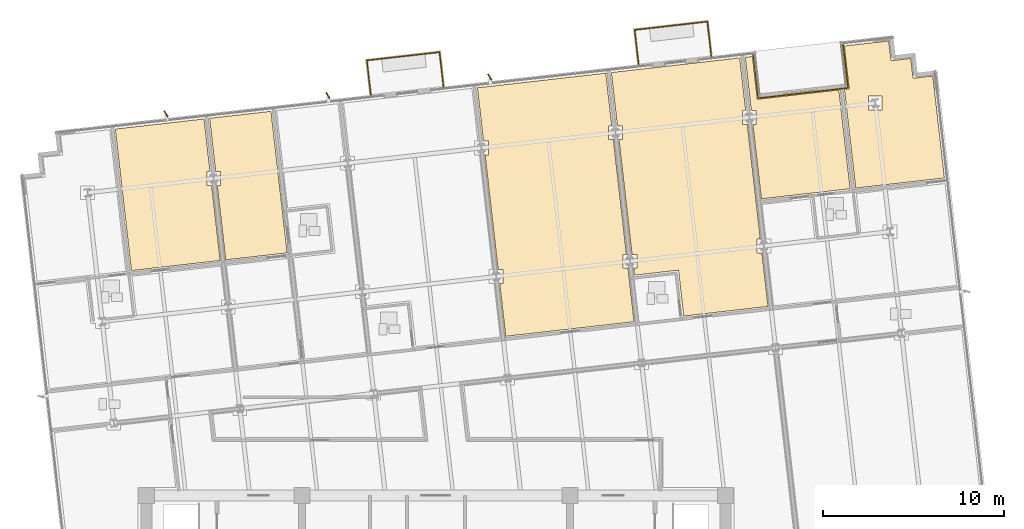
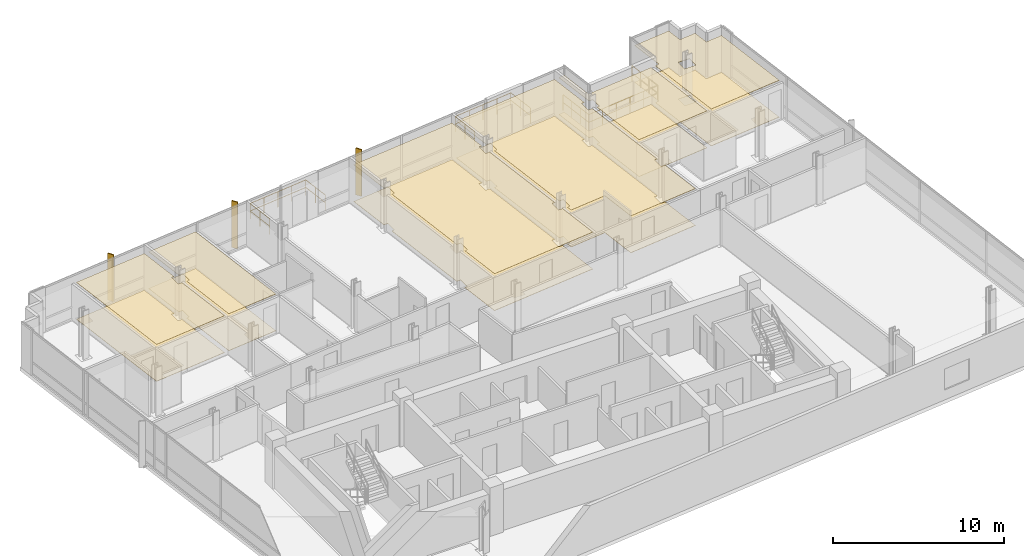
# One storey, part 15 of 16: 12 coverings, 9 railings, 3 shading devices.
"""IFC4 building model written with IfcOpenShell, lengths in metres."""

import ifcopenshell
import ifcopenshell.guid

model = None  # the IFC model being written
_history = None  # IfcOwnerHistory: only IFC2X3 demands one
_inside = {}  # id of a spatial element -> (the spatial element, [elements in it])
_under = {}  # id of a project, library or spatial element -> (it, [spatial elements below it])
_declared = {}  # id of a project -> (the project, [libraries it declares])
_typed = {}  # id of a type object -> (the type object, [elements of that type])
_made_of = {}  # id of a material, layer set ... -> (it, [elements and type objects made of it])


def new_model(schema):
    """Start an empty IFC model of exactly this schema.

    Asked for "IFC4X3", IfcOpenShell would pick the latest addendum, in which some entities
    have other attributes; the version numbers below select the first issue.
    IFC2X3 requires an IfcOwnerHistory on every rooted entity: one is made here for all.
    """
    global model, _history
    if schema == "IFC4X3":
        model = ifcopenshell.file(schema_version=(4, 3, 0, 0))
    else:
        model = ifcopenshell.file(schema=schema)
    _inside.clear()
    _under.clear()
    _declared.clear()
    _typed.clear()
    _made_of.clear()
    _history = None
    if model.schema == "IFC2X3":
        org = make("IfcOrganization", Name="unknown")
        user = make(
            "IfcPersonAndOrganization",
            ThePerson=make("IfcPerson", FamilyName="unknown"),
            TheOrganization=org,
        )
        app = make(
            "IfcApplication",
            ApplicationDeveloper=org,
            Version="unknown",
            ApplicationFullName="unknown",
            ApplicationIdentifier="unknown",
        )
        _history = make(
            "IfcOwnerHistory",
            OwningUser=user,
            OwningApplication=app,
            ChangeAction="ADDED",
            CreationDate=0,
        )
    return model


def make(cls, **values):
    """One entity of the class cls with the attributes given. An attribute that is None is left unset."""
    return model.create_entity(
        cls, **{name: value for name, value in values.items() if value is not None}
    )


def rooted(cls, **values):
    """An entity with a GlobalId (a new one), such as an element, a storey or a relation."""
    return make(cls, GlobalId=ifcopenshell.guid.new(), OwnerHistory=_history, **values)


def si_unit(unit_type, name, prefix=None):
    """IfcSIUnit, for example si_unit("LENGTHUNIT", "METRE", prefix="MILLI")."""
    return make("IfcSIUnit", UnitType=unit_type, Prefix=prefix, Name=name)


def assignment(units):
    """IfcUnitAssignment: the units of a project."""
    return None if units is None else make("IfcUnitAssignment", Units=units)


def point(xyz):
    """IfcCartesianPoint."""
    return None if xyz is None else make("IfcCartesianPoint", Coordinates=xyz)


def direction(xyz):
    """IfcDirection."""
    return None if xyz is None else make("IfcDirection", DirectionRatios=xyz)


def frame(location, z_axis=None, x_axis=None):
    """IfcAxis2Placement3D, a coordinate frame: its origin and axes. An axis left out is left unset."""
    return make(
        "IfcAxis2Placement3D",
        Location=point(location),
        Axis=direction(z_axis),
        RefDirection=direction(x_axis),
    )


def frame_2d(location, x_axis=None):
    """IfcAxis2Placement2D, a coordinate frame in the plane: its origin and x axis."""
    return make(
        "IfcAxis2Placement2D", Location=point(location), RefDirection=direction(x_axis)
    )


def origin():
    """The frame at (0, 0, 0) with its axes left unset."""
    return frame((0.0, 0.0, 0.0))


def origin_2d():
    """The frame at (0, 0) in the plane with its x axis left unset."""
    return frame_2d((0.0, 0.0))


def place(relative_to, where):
    """IfcLocalPlacement: puts the frame where relative to a parent placement (None: the world)."""
    return make(
        "IfcLocalPlacement", PlacementRelTo=relative_to, RelativePlacement=where
    )


def context(
    kind, dimensions, precision=None, world=None, true_north=None, identifier=None
):
    """IfcGeometricRepresentationContext, for example the 3D "Model" context."""
    return make(
        "IfcGeometricRepresentationContext",
        ContextIdentifier=identifier,
        ContextType=kind,
        CoordinateSpaceDimension=dimensions,
        Precision=precision,
        WorldCoordinateSystem=world,
        TrueNorth=true_north,
    )


def subcontext(parent, identifier, kind, view, scale=None):
    """IfcGeometricRepresentationSubContext, for example "Body" below "Model"."""
    return make(
        "IfcGeometricRepresentationSubContext",
        ContextIdentifier=identifier,
        ContextType=kind,
        ParentContext=parent,
        TargetScale=scale,
        TargetView=view,
    )


def project(units=None, contexts=None):
    """IfcProject with its units and contexts."""
    return rooted(
        "IfcProject",
        Name="project",
        RepresentationContexts=contexts,
        UnitsInContext=assignment(units),
    )


def spatial(cls, under=None, at=None, **own):
    """A site, building, storey or space (cls), placed at a placement, below another one or the project."""
    s = rooted(cls, ObjectPlacement=at, **own)
    if under is not None:
        _under.setdefault(under.id(), (under, []))[1].append(s)
    return s


def polyline(points):
    """IfcPolyline through the points."""
    return make("IfcPolyline", Points=[point(p) for p in points])


def profile(cls, at=None, kind="AREA", **sizes):
    """A parametric profile (cls). Its sizes go by their IFC names, for example OverallWidth=200.0."""
    return make(cls, ProfileType=kind, Position=at, **sizes)


def rectangle(**sizes):
    """IfcRectangleProfileDef."""
    return profile("IfcRectangleProfileDef", **sizes)


def circle(**sizes):
    """IfcCircleProfileDef."""
    return profile("IfcCircleProfileDef", **sizes)


def outline(outer, holes=None, kind="AREA"):
    """IfcArbitraryClosedProfileDef: a profile drawn as a closed curve; with holes, ...WithVoids."""
    if holes is None:
        return make("IfcArbitraryClosedProfileDef", ProfileType=kind, OuterCurve=outer)
    return make(
        "IfcArbitraryProfileDefWithVoids",
        ProfileType=kind,
        OuterCurve=outer,
        InnerCurves=holes,
    )


def extrude(swept, where, along, depth):
    """IfcExtrudedAreaSolid: the profile swept, set in the frame where, extruded along a direction by depth."""
    return make(
        "IfcExtrudedAreaSolid",
        SweptArea=swept,
        Position=where,
        ExtrudedDirection=direction(along),
        Depth=depth,
    )


def shape(context_of_items, identifier, shape_type, items):
    """IfcShapeRepresentation: the items that make up one representation, for example the "Body"."""
    return make(
        "IfcShapeRepresentation",
        ContextOfItems=context_of_items,
        RepresentationIdentifier=identifier,
        RepresentationType=shape_type,
        Items=items,
    )


def material(Name=None, Category=None):
    """IfcMaterial."""
    return make("IfcMaterial", Name=Name, Category=Category)


def layer(
    of_material, thickness, ventilated=None, Name=None, Category=None, Priority=None
):
    """IfcMaterialLayer: one layer of a wall or slab, of a material (None: an air gap)."""
    return make(
        "IfcMaterialLayer",
        Material=of_material,
        LayerThickness=thickness,
        IsVentilated=ventilated,
        Name=Name,
        Category=Category,
        Priority=Priority,
    )


def layer_set(layers, Name=None):
    """IfcMaterialLayerSet."""
    return make("IfcMaterialLayerSet", MaterialLayers=layers, LayerSetName=Name)


def made_of(thing, what):
    """Note that an element or type object is made of a material, layer set ...; save() writes the relation."""
    if what is not None:
        _made_of.setdefault(what.id(), (what, []))[1].append(thing)
    return thing


def type_object(cls, material=None, **own):
    """A type object (cls), such as IfcWallType, which elements share."""
    return made_of(rooted(cls, **own), material)


def element(
    cls,
    number,
    at=None,
    inside=None,
    cuts=None,
    type_object=None,
    material=None,
    context=None,
    identifier="Body",
    shape_type=None,
    held_by="IfcProductDefinitionShape",
    body=None,
    shapes=None,
    **own,
):
    """One element of the class cls, such as IfcWall. Its Tag is "e" and its number.

    at: its placement. inside: the storey or other place that contains it. cuts: it is an
    opening in that element (IfcRelVoidsElement). A single representation is given by context,
    identifier, shape_type and body (its items); several are given by shapes. held_by: the class
    of the entity that holds the representations. save() writes the other relations.
    """
    e = rooted(cls, Tag="e%d" % number, ObjectPlacement=at, **own)
    if body is not None:
        shapes = [shape(context, identifier, shape_type, body)]
    if shapes is not None:
        e.Representation = make(held_by, Representations=shapes)
    if inside is not None:
        _inside.setdefault(inside.id(), (inside, []))[1].append(e)
    if cuts is not None:
        rooted(
            "IfcRelVoidsElement", RelatingBuildingElement=cuts, RelatedOpeningElement=e
        )
    if type_object is not None:
        _typed.setdefault(type_object.id(), (type_object, []))[1].append(e)
    return made_of(e, material)


def aggregate(whole, parts):
    """IfcRelAggregates: a whole, such as a stair, and the parts it consists of."""
    return rooted("IfcRelAggregates", RelatingObject=whole, RelatedObjects=parts)


def save(model, path):
    """Write the relations noted so far, then the file.

    IfcRelAggregates (storeys below a building ...), IfcRelContainedInSpatialStructure (elements
    in a storey), IfcRelDefinesByType, IfcRelAssociatesMaterial and IfcRelDeclares: one each for
    every whole, place, type object, material and project.
    """
    for whole, parts in _under.values():
        aggregate(whole, parts)
    for where, things in _inside.values():
        rooted(
            "IfcRelContainedInSpatialStructure",
            RelatedElements=things,
            RelatingStructure=where,
        )
    for kind, things in _typed.values():
        rooted("IfcRelDefinesByType", RelatedObjects=things, RelatingType=kind)
    for what, things in _made_of.values():
        rooted("IfcRelAssociatesMaterial", RelatedObjects=things, RelatingMaterial=what)
    for by, libraries in _declared.values():
        rooted("IfcRelDeclares", RelatingContext=by, RelatedDefinitions=libraries)
    model.write(path)


model = new_model("IFC4")

# Units and contexts
model_context = context("Model", 3, precision=1e-05, world=origin(), true_north=direction((0.0, 1.0)))
body_context = subcontext(model_context, "Body", "Model", "MODEL_VIEW")
ifc_project = project(units=[si_unit("LENGTHUNIT", "METRE"), si_unit("AREAUNIT", "SQUARE_METRE"), si_unit("VOLUMEUNIT", "CUBIC_METRE"), si_unit("PLANEANGLEUNIT", "RADIAN"), si_unit("MASSUNIT", "GRAM", prefix="KILO")], contexts=[model_context])

# Site, building, storey
site_placement = place(None, origin())
site = spatial("IfcSite", under=ifc_project, at=site_placement, CompositionType="ELEMENT")
building_placement = place(site_placement, origin())
building = spatial("IfcBuilding", under=site, at=building_placement, Name="Solmavex Isthmus Hotel", CompositionType="ELEMENT")
storey_placement = place(building_placement, frame((0.0, 0.0, 222.75)))
storey = spatial("IfcBuildingStorey", under=building, at=storey_placement, Name="L60", CompositionType="ELEMENT", Elevation=222.75)

# Coverings
ifc_material_1 = material(Name="Gypsum plasterboard lining", Category="gypsum")
ifc_layer_1 = layer(ifc_material_1, 0.030029296875)
ifc_layer_set_1 = layer_set([ifc_layer_1], Name="Gypsum plasterboard lining")
covering_type_1 = type_object("IfcCoveringType", Name="COV-CEIL-GYP", PredefinedType="CEILING", material=ifc_layer_set_1)
covering_1_placement = place(storey_placement, frame((0.0, 0.0, 2.6201171875)))
element("IfcCovering", 1, at=covering_1_placement, inside=storey, type_object=covering_type_1, Name="Suspended Acoustic Ceiling L60-TL01", PredefinedType="CEILING", context=body_context, shape_type="SweptSolid", body=[
    extrude(outline(polyline([(-12.395751953125, 14.638427734375), (-12.6630859375, 14.638427734375), (-12.6630859375, 15.3984375), (-12.482421875, 15.3984375), (-12.8134765625, 18.304443359375), (-17.715576171875, 17.745849609375), (-16.824462890625, 9.924560546875), (-11.92236328125, 10.483154296875), (-12.395751953125, 14.638427734375)])), origin(), (0.0, 0.0, 1.0), 0.02978515625),
])
covering_2_placement = place(storey_placement, frame((0.0, 0.0, 2.6201171875)))
element("IfcCovering", 2, at=covering_2_placement, inside=storey, type_object=covering_type_1, Name="Suspended Acoustic Ceiling L60-SL02-BD", PredefinedType="CEILING", context=body_context, shape_type="SweptSolid", body=[
    extrude(outline(polyline([(-12.17041015625, 15.3984375), (-11.903076171875, 15.3984375), (-11.903076171875, 14.638427734375), (-12.083740234375, 14.638427734375), (-11.6142578125, 10.51806640625), (-8.22314453125, 10.904541015625), (-9.1142578125, 18.725830078125), (-12.50537109375, 18.339599609375), (-12.17041015625, 15.3984375)])), origin(), (0.0, 0.0, 1.0), 0.02978515625),
])
covering_3_placement = place(storey_placement, frame((0.0, 0.0, 2.6201171875)))
element("IfcCovering", 3, at=covering_3_placement, inside=storey, type_object=covering_type_1, Name="Suspended Acoustic Ceiling L60-RM04", PredefinedType="CEILING", context=body_context, shape_type="SweptSolid", body=[
    extrude(outline(polyline([(3.435546875, 9.978271484375), (3.702880859375, 9.978271484375), (3.702880859375, 9.21826171875), (3.522216796875, 9.21826171875), (3.855224609375, 6.294189453125), (10.945556640625, 7.10205078125), (10.6083984375, 10.06103515625), (10.341064453125, 10.06103515625), (10.341064453125, 10.821044921875), (10.521728515625, 10.821044921875), (9.798583984375, 17.167236328125), (9.531494140625, 17.167236328125), (9.531494140625, 17.92724609375), (9.712158203125, 17.92724609375), (9.381103515625, 20.833251953125), (2.290771484375, 20.025390625), (2.6259765625, 17.084228515625), (2.893310546875, 17.084228515625), (2.893310546875, 16.32421875), (2.712646484375, 16.32421875), (3.435546875, 9.978271484375)])), origin(), (0.0, 0.0, 1.0), 0.02978515625),
])
covering_4_placement = place(storey_placement, frame((0.0, 0.0, 2.6201171875)))
element("IfcCovering", 4, at=covering_4_placement, inside=storey, type_object=covering_type_1, Name="Suspended Acoustic Ceiling L60-RM05", PredefinedType="CEILING", context=body_context, shape_type="SweptSolid", body=[
    extrude(outline(polyline([(10.833740234375, 10.821044921875), (11.10107421875, 10.821044921875), (11.10107421875, 10.06103515625), (10.92041015625, 10.06103515625), (10.96484375, 9.670654296875), (13.399169921875, 9.947998046875), (13.687744140625, 7.41455078125), (18.343505859375, 7.945068359375), (18.006591796875, 10.904052734375), (17.7392578125, 10.904052734375), (17.7392578125, 11.6640625), (17.919921875, 11.6640625), (17.19677734375, 18.010009765625), (16.929443359375, 18.010009765625), (16.929443359375, 18.77001953125), (17.1103515625, 18.77001953125), (16.779052734375, 21.676025390625), (9.68896484375, 20.868408203125), (10.024169921875, 17.92724609375), (10.29150390625, 17.92724609375), (10.29150390625, 17.167236328125), (10.110595703125, 17.167236328125), (10.833740234375, 10.821044921875)])), origin(), (0.0, 0.0, 1.0), 0.02978515625),
])
covering_5_placement = place(storey_placement, frame((0.0, 0.0, 2.6201171875)))
element("IfcCovering", 5, at=covering_5_placement, inside=storey, type_object=covering_type_1, Name="Suspended Acoustic Ceiling L60-TB06", PredefinedType="CEILING", context=body_context, shape_type="SweptSolid", body=[
    extrude(outline(polyline([(17.42236328125, 18.77001953125), (17.689453125, 18.77001953125), (17.689453125, 18.010009765625), (17.5087890625, 18.010009765625), (17.978271484375, 13.889892578125), (22.880615234375, 14.4482421875), (22.2587890625, 19.905029296875), (17.751953125, 19.3916015625), (17.482666015625, 21.75634765625), (17.087158203125, 21.711181640625), (17.42236328125, 18.77001953125)])), origin(), (0.0, 0.0, 1.0), 0.02978515625),
])
covering_6_placement = place(storey_placement, frame((0.0, 0.0, 2.6201171875)))
element("IfcCovering", 6, at=covering_6_placement, inside=storey, type_object=covering_type_1, Name="Suspended Acoustic Ceiling L60-TL06", PredefinedType="CEILING", context=body_context, shape_type="SweptSolid", body=[
    extrude(outline(polyline([(22.559814453125, 22.334716796875), (22.8291015625, 19.969970703125), (22.56689453125, 19.940185546875), (23.1884765625, 14.4833984375), (28.0908203125, 15.0419921875), (27.542236328125, 19.85791015625), (27.44873046875, 20.677490234375), (26.35595703125, 20.552978515625), (26.231201171875, 21.64599609375), (25.138427734375, 21.521484375), (25.013916015625, 22.6142578125), (24.194091796875, 22.52099609375), (22.559814453125, 22.334716796875)]), holes=[polyline([(23.892578125, 19.5634765625), (24.652587890625, 19.5634765625), (24.652587890625, 18.803466796875), (23.892578125, 18.803466796875), (23.892578125, 19.5634765625)])]), origin(), (0.0, 0.0, 1.0), 0.02978515625),
])
ifc_material_2 = material(Name="Travertine natural stone", Category="masonry")
ifc_layer_2 = layer(ifc_material_2, 0.02490234375)
ifc_layer_set_2 = layer_set([ifc_layer_2], Name="Travertine natural stone")
covering_type_2 = type_object("IfcCoveringType", Name="COV-FLOR-STN", PredefinedType="FLOORING", material=ifc_layer_set_2)
covering_7_placement = place(storey_placement, origin())
element("IfcCovering", 7, at=covering_7_placement, inside=storey, type_object=covering_type_2, Name="Stone and Timber Floor Finish L60-TL01", PredefinedType="FLOORING", context=body_context, shape_type="SweptSolid", body=[
    extrude(outline(polyline([(-12.395751953125, 14.638427734375), (-12.6630859375, 14.638427734375), (-12.6630859375, 15.3984375), (-12.482421875, 15.3984375), (-12.8134765625, 18.304443359375), (-17.715576171875, 17.745849609375), (-16.824462890625, 9.924560546875), (-11.92236328125, 10.483154296875), (-12.395751953125, 14.638427734375)])), origin(), (0.0, 0.0, 1.0), 0.02490234375),
])
covering_8_placement = place(storey_placement, origin())
element("IfcCovering", 8, at=covering_8_placement, inside=storey, type_object=covering_type_2, Name="Stone and Timber Floor Finish L60-SL02-BD", PredefinedType="FLOORING", context=body_context, shape_type="SweptSolid", body=[
    extrude(outline(polyline([(-12.17041015625, 15.3984375), (-11.903076171875, 15.3984375), (-11.903076171875, 14.638427734375), (-12.083740234375, 14.638427734375), (-11.6142578125, 10.51806640625), (-8.22314453125, 10.904541015625), (-9.1142578125, 18.725830078125), (-12.50537109375, 18.339599609375), (-12.17041015625, 15.3984375)])), origin(), (0.0, 0.0, 1.0), 0.02490234375),
])
covering_9_placement = place(storey_placement, origin())
element("IfcCovering", 9, at=covering_9_placement, inside=storey, type_object=covering_type_2, Name="Stone and Timber Floor Finish L60-RM04", PredefinedType="FLOORING", context=body_context, shape_type="SweptSolid", body=[
    extrude(outline(polyline([(3.435546875, 9.978271484375), (3.702880859375, 9.978271484375), (3.702880859375, 9.21826171875), (3.522216796875, 9.21826171875), (3.855224609375, 6.294189453125), (10.945556640625, 7.10205078125), (10.6083984375, 10.06103515625), (10.341064453125, 10.06103515625), (10.341064453125, 10.821044921875), (10.521728515625, 10.821044921875), (9.798583984375, 17.167236328125), (9.531494140625, 17.167236328125), (9.531494140625, 17.92724609375), (9.712158203125, 17.92724609375), (9.381103515625, 20.833251953125), (2.290771484375, 20.025390625), (2.6259765625, 17.084228515625), (2.893310546875, 17.084228515625), (2.893310546875, 16.32421875), (2.712646484375, 16.32421875), (3.435546875, 9.978271484375)])), origin(), (0.0, 0.0, 1.0), 0.02490234375),
])
covering_10_placement = place(storey_placement, origin())
element("IfcCovering", 10, at=covering_10_placement, inside=storey, type_object=covering_type_2, Name="Stone and Timber Floor Finish L60-RM05", PredefinedType="FLOORING", context=body_context, shape_type="SweptSolid", body=[
    extrude(outline(polyline([(10.833740234375, 10.821044921875), (11.10107421875, 10.821044921875), (11.10107421875, 10.06103515625), (10.92041015625, 10.06103515625), (10.96484375, 9.670654296875), (13.399169921875, 9.947998046875), (13.687744140625, 7.41455078125), (18.343505859375, 7.945068359375), (18.006591796875, 10.904052734375), (17.7392578125, 10.904052734375), (17.7392578125, 11.6640625), (17.919921875, 11.6640625), (17.19677734375, 18.010009765625), (16.929443359375, 18.010009765625), (16.929443359375, 18.77001953125), (17.1103515625, 18.77001953125), (16.779052734375, 21.676025390625), (9.68896484375, 20.868408203125), (10.024169921875, 17.92724609375), (10.29150390625, 17.92724609375), (10.29150390625, 17.167236328125), (10.110595703125, 17.167236328125), (10.833740234375, 10.821044921875)])), origin(), (0.0, 0.0, 1.0), 0.02490234375),
])
covering_11_placement = place(storey_placement, origin())
element("IfcCovering", 11, at=covering_11_placement, inside=storey, type_object=covering_type_2, Name="Stone and Timber Floor Finish L60-TB06", PredefinedType="FLOORING", context=body_context, shape_type="SweptSolid", body=[
    extrude(outline(polyline([(17.42236328125, 18.77001953125), (17.689453125, 18.77001953125), (17.689453125, 18.010009765625), (17.5087890625, 18.010009765625), (17.978271484375, 13.889892578125), (22.880615234375, 14.4482421875), (22.2587890625, 19.905029296875), (17.751953125, 19.3916015625), (17.482666015625, 21.75634765625), (17.087158203125, 21.711181640625), (17.42236328125, 18.77001953125)])), origin(), (0.0, 0.0, 1.0), 0.02490234375),
])
covering_12_placement = place(storey_placement, origin())
element("IfcCovering", 12, at=covering_12_placement, inside=storey, type_object=covering_type_2, Name="Stone and Timber Floor Finish L60-TL06", PredefinedType="FLOORING", context=body_context, shape_type="SweptSolid", body=[
    extrude(outline(polyline([(22.559814453125, 22.334716796875), (22.8291015625, 19.969970703125), (22.56689453125, 19.940185546875), (23.1884765625, 14.4833984375), (28.0908203125, 15.0419921875), (27.542236328125, 19.85791015625), (27.44873046875, 20.677490234375), (26.35595703125, 20.552978515625), (26.231201171875, 21.64599609375), (25.138427734375, 21.521484375), (25.013916015625, 22.6142578125), (24.194091796875, 22.52099609375), (22.559814453125, 22.334716796875)]), holes=[polyline([(23.892578125, 19.5634765625), (24.652587890625, 19.5634765625), (24.652587890625, 18.803466796875), (23.892578125, 18.803466796875), (23.892578125, 19.5634765625)])]), origin(), (0.0, 0.0, 1.0), 0.02490234375),
])

# Railings
ifc_material_3 = material(Name="Clear low-E laminated glass", Category="glass")
ifc_layer_3 = layer(ifc_material_3, 0.080078125)
ifc_layer_set_3 = layer_set([ifc_layer_3], Name="Clear low-E laminated glass")
railing_type_1 = type_object("IfcRailingType", Name="RAIL-ATRIUM-1120", PredefinedType="BALUSTRADE", material=ifc_layer_set_3)
railing_1_placement = place(storey_placement, frame((17.51513671875, 21.956298828125, 0.0)))
element("IfcRailing", 13, at=railing_1_placement, inside=storey, type_object=railing_type_1, Name="Guardrail Balustrade L60-SGV-01", PredefinedType="BALUSTRADE", context=body_context, shape_type="SweptSolid", body=[
    extrude(circle(Radius=0.02392578125, at=origin_2d()), frame((0.0, 0.0, 1.1259765625), z_axis=(0.113248774357, -0.993566663645, 0.0), x_axis=(0.993566663645, 0.113248774357, 0.0)), (0.0, 0.0, 1.0), 2.52001953125),
    extrude(circle(Radius=0.02392578125, at=origin_2d()), frame((0.0, 0.0, 0.574951171875), z_axis=(0.113248774357, -0.993566663645, 0.0), x_axis=(0.993566663645, 0.113248774357, 0.0)), (0.0, 0.0, 1.0), 2.52001953125),
    extrude(circle(Radius=0.02099609375, at=origin_2d()), origin(), (0.0, 0.0, 1.0), 1.101806640625),
    extrude(circle(Radius=0.02099609375, at=origin_2d()), frame((0.09521484375, -0.834716796875, 0.0)), (0.0, 0.0, 1.0), 1.101806640625),
    extrude(circle(Radius=0.02099609375, at=origin_2d()), frame((0.190185546875, -1.669189453125, 0.0)), (0.0, 0.0, 1.0), 1.101806640625),
    extrude(circle(Radius=0.02099609375, at=origin_2d()), frame((0.285400390625, -2.50390625, 0.0)), (0.0, 0.0, 1.0), 1.101806640625),
])
railing_2_placement = place(storey_placement, frame((17.800537109375, 19.452392578125, 0.0)))
element("IfcRailing", 14, at=railing_2_placement, inside=storey, type_object=railing_type_1, Name="Guardrail Balustrade L60-SGV-02", PredefinedType="BALUSTRADE", context=body_context, shape_type="SweptSolid", body=[
    extrude(circle(Radius=0.02392578125, at=origin_2d()), frame((0.0, 0.0, 1.1259765625), z_axis=(0.993568349945, 0.113233978943, 0.0), x_axis=(-0.113233978943, 0.993568349945, 0.0)), (0.0, 0.0, 1.0), 5.0),
    extrude(circle(Radius=0.02392578125, at=origin_2d()), frame((0.0, 0.0, 0.574951171875), z_axis=(0.993568349945, 0.113233978943, 0.0), x_axis=(-0.113233978943, 0.993568349945, 0.0)), (0.0, 0.0, 1.0), 5.0),
    extrude(circle(Radius=0.02099609375, at=origin_2d()), origin(), (0.0, 0.0, 1.0), 1.101806640625),
    extrude(circle(Radius=0.02099609375, at=origin_2d()), frame((0.99365234375, 0.11328125, 0.0)), (0.0, 0.0, 1.0), 1.101806640625),
    extrude(circle(Radius=0.02099609375, at=origin_2d()), frame((1.987060546875, 0.2265625, 0.0)), (0.0, 0.0, 1.0), 1.101806640625),
    extrude(circle(Radius=0.02099609375, at=origin_2d()), frame((2.980712890625, 0.339599609375, 0.0)), (0.0, 0.0, 1.0), 1.101806640625),
    extrude(circle(Radius=0.02099609375, at=origin_2d()), frame((3.97412109375, 0.452880859375, 0.0)), (0.0, 0.0, 1.0), 1.101806640625),
    extrude(circle(Radius=0.02099609375, at=origin_2d()), frame((4.9677734375, 0.566162109375, 0.0)), (0.0, 0.0, 1.0), 1.101806640625),
])
railing_3_placement = place(storey_placement, frame((22.768310546875, 20.0185546875, 0.0)))
element("IfcRailing", 15, at=railing_3_placement, inside=storey, type_object=railing_type_1, Name="Guardrail Balustrade L60-SGV-03", PredefinedType="BALUSTRADE", context=body_context, shape_type="SweptSolid", body=[
    extrude(circle(Radius=0.02392578125, at=origin_2d()), frame((0.0, 0.0, 1.1259765625), z_axis=(-0.113259675977, 0.993565420995, 0.0), x_axis=(-0.993565420995, -0.113259675977, 0.0)), (0.0, 0.0, 1.0), 2.519775390625),
    extrude(circle(Radius=0.02392578125, at=origin_2d()), frame((0.0, 0.0, 0.574951171875), z_axis=(-0.113259675977, 0.993565420995, 0.0), x_axis=(-0.993565420995, -0.113259675977, 0.0)), (0.0, 0.0, 1.0), 2.519775390625),
    extrude(circle(Radius=0.02099609375, at=origin_2d()), origin(), (0.0, 0.0, 1.0), 1.101806640625),
    extrude(circle(Radius=0.02099609375, at=origin_2d()), frame((-0.09521484375, 0.83447265625, 0.0)), (0.0, 0.0, 1.0), 1.101806640625),
    extrude(circle(Radius=0.02099609375, at=origin_2d()), frame((-0.190185546875, 1.669189453125, 0.0)), (0.0, 0.0, 1.0), 1.101806640625),
    extrude(circle(Radius=0.02099609375, at=origin_2d()), frame((-0.285400390625, 2.503662109375, 0.0)), (0.0, 0.0, 1.0), 1.101806640625),
])
ifc_layer_4 = layer(ifc_material_3, 0.070068359375)
ifc_layer_set_4 = layer_set([ifc_layer_4], Name="Clear low-E laminated glass")
railing_type_2 = type_object("IfcRailingType", Name="RAIL-GUARD-1100", PredefinedType="BALUSTRADE", material=ifc_layer_set_4)
railing_4_placement = place(storey_placement, frame((-3.600341796875, 19.630859375, 0.0)))
element("IfcRailing", 16, at=railing_4_placement, inside=storey, type_object=railing_type_2, Name="Guardrail Balustrade L60-BAL1-01", PredefinedType="BALUSTRADE", context=body_context, shape_type="SweptSolid", body=[
    extrude(circle(Radius=0.02392578125, at=origin_2d()), frame((0.0, 0.0, 1.09619140625), z_axis=(-0.113166454875, 0.993576043135, 0.0), x_axis=(-0.993576043135, -0.113166454875, 0.0)), (0.0, 0.0, 1.0), 1.920166015625),
    extrude(circle(Radius=0.02392578125, at=origin_2d()), frame((0.0, 0.0, 0.56005859375), z_axis=(-0.113166454875, 0.993576043135, 0.0), x_axis=(-0.993576043135, -0.113166454875, 0.0)), (0.0, 0.0, 1.0), 1.920166015625),
    extrude(circle(Radius=0.02099609375, at=origin_2d()), origin(), (0.0, 0.0, 1.0), 1.072021484375),
    extrude(circle(Radius=0.02099609375, at=origin_2d()), frame((-0.108642578125, 0.953857421875, 0.0)), (0.0, 0.0, 1.0), 1.072021484375),
    extrude(circle(Radius=0.02099609375, at=origin_2d()), frame((-0.21728515625, 1.90771484375, 0.0)), (0.0, 0.0, 1.0), 1.072021484375),
])
railing_5_placement = place(storey_placement, frame((-3.817626953125, 21.53857421875, 0.0)))
element("IfcRailing", 17, at=railing_5_placement, inside=storey, type_object=railing_type_2, Name="Guardrail Balustrade L60-BAL1-02", PredefinedType="BALUSTRADE", context=body_context, shape_type="SweptSolid", body=[
    extrude(circle(Radius=0.02392578125, at=origin_2d()), frame((0.0, 0.0, 1.09619140625), z_axis=(0.993573319275, 0.113190367192, 0.0), x_axis=(-0.113190367192, 0.993573319275, 0.0)), (0.0, 0.0, 1.0), 4.039794921875),
    extrude(circle(Radius=0.02392578125, at=origin_2d()), frame((0.0, 0.0, 0.56005859375), z_axis=(0.993573319275, 0.113190367192, 0.0), x_axis=(-0.113190367192, 0.993573319275, 0.0)), (0.0, 0.0, 1.0), 4.039794921875),
    extrude(circle(Radius=0.02099609375, at=origin_2d()), origin(), (0.0, 0.0, 1.0), 1.072021484375),
    extrude(circle(Radius=0.02099609375, at=origin_2d()), frame((1.00341796875, 0.1142578125, 0.0)), (0.0, 0.0, 1.0), 1.072021484375),
    extrude(circle(Radius=0.02099609375, at=origin_2d()), frame((2.0068359375, 0.228515625, 0.0)), (0.0, 0.0, 1.0), 1.072021484375),
    extrude(circle(Radius=0.02099609375, at=origin_2d()), frame((3.010498046875, 0.343017578125, 0.0)), (0.0, 0.0, 1.0), 1.072021484375),
    extrude(circle(Radius=0.02099609375, at=origin_2d()), frame((4.013916015625, 0.457275390625, 0.0)), (0.0, 0.0, 1.0), 1.072021484375),
])
railing_6_placement = place(storey_placement, frame((0.1962890625, 21.995849609375, 0.0)))
element("IfcRailing", 18, at=railing_6_placement, inside=storey, type_object=railing_type_2, Name="Guardrail Balustrade L60-BAL1-03", PredefinedType="BALUSTRADE", context=body_context, shape_type="SweptSolid", body=[
    extrude(circle(Radius=0.02392578125, at=origin_2d()), frame((0.0, 0.0, 1.09619140625), z_axis=(0.113180753722, -0.993574414418, 0.0), x_axis=(0.993574414418, 0.113180753722, 0.0)), (0.0, 0.0, 1.0), 1.919921875),
    extrude(circle(Radius=0.02392578125, at=origin_2d()), frame((0.0, 0.0, 0.56005859375), z_axis=(0.113180753722, -0.993574414418, 0.0), x_axis=(0.993574414418, 0.113180753722, 0.0)), (0.0, 0.0, 1.0), 1.919921875),
    extrude(circle(Radius=0.02099609375, at=origin_2d()), origin(), (0.0, 0.0, 1.0), 1.072021484375),
    extrude(circle(Radius=0.02099609375, at=origin_2d()), frame((0.108642578125, -0.95361328125, 0.0)), (0.0, 0.0, 1.0), 1.072021484375),
    extrude(circle(Radius=0.02099609375, at=origin_2d()), frame((0.21728515625, -1.907470703125, 0.0)), (0.0, 0.0, 1.0), 1.072021484375),
])
railing_7_placement = place(storey_placement, frame((11.196044921875, 21.31689453125, 0.0)))
element("IfcRailing", 19, at=railing_7_placement, inside=storey, type_object=railing_type_2, Name="Guardrail Balustrade L60-BAL2-01", PredefinedType="BALUSTRADE", context=body_context, shape_type="SweptSolid", body=[
    extrude(circle(Radius=0.02392578125, at=origin_2d()), frame((0.0, 0.0, 1.09619140625), z_axis=(-0.113306291372, 0.993560106051, 0.0), x_axis=(-0.993560106051, -0.113306291372, 0.0)), (0.0, 0.0, 1.0), 1.919921875),
    extrude(circle(Radius=0.02392578125, at=origin_2d()), frame((0.0, 0.0, 0.56005859375), z_axis=(-0.113306291372, 0.993560106051, 0.0), x_axis=(-0.993560106051, -0.113306291372, 0.0)), (0.0, 0.0, 1.0), 1.919921875),
    extrude(circle(Radius=0.02099609375, at=origin_2d()), origin(), (0.0, 0.0, 1.0), 1.072021484375),
    extrude(circle(Radius=0.02099609375, at=origin_2d()), frame((-0.10888671875, 0.95361328125, 0.0)), (0.0, 0.0, 1.0), 1.072021484375),
    extrude(circle(Radius=0.02099609375, at=origin_2d()), frame((-0.217529296875, 1.907470703125, 0.0)), (0.0, 0.0, 1.0), 1.072021484375),
])
railing_8_placement = place(storey_placement, frame((10.978515625, 23.224365234375, 0.0)))
element("IfcRailing", 20, at=railing_8_placement, inside=storey, type_object=railing_type_2, Name="Guardrail Balustrade L60-BAL2-02", PredefinedType="BALUSTRADE", context=body_context, shape_type="SweptSolid", body=[
    extrude(circle(Radius=0.02392578125, at=origin_2d()), frame((0.0, 0.0, 1.09619140625), z_axis=(0.993567296105, 0.113243225453, 0.0), x_axis=(-0.113243225453, 0.993567296105, 0.0)), (0.0, 0.0, 1.0), 4.0400390625),
    extrude(circle(Radius=0.02392578125, at=origin_2d()), frame((0.0, 0.0, 0.56005859375), z_axis=(0.993567296105, 0.113243225453, 0.0), x_axis=(-0.113243225453, 0.993567296105, 0.0)), (0.0, 0.0, 1.0), 4.0400390625),
    extrude(circle(Radius=0.02099609375, at=origin_2d()), origin(), (0.0, 0.0, 1.0), 1.072021484375),
    extrude(circle(Radius=0.02099609375, at=origin_2d()), frame((1.00341796875, 0.1142578125, 0.0)), (0.0, 0.0, 1.0), 1.072021484375),
    extrude(circle(Radius=0.02099609375, at=origin_2d()), frame((2.007080078125, 0.228759765625, 0.0)), (0.0, 0.0, 1.0), 1.072021484375),
    extrude(circle(Radius=0.02099609375, at=origin_2d()), frame((3.0107421875, 0.34326171875, 0.0)), (0.0, 0.0, 1.0), 1.072021484375),
    extrude(circle(Radius=0.02099609375, at=origin_2d()), frame((4.01416015625, 0.45751953125, 0.0)), (0.0, 0.0, 1.0), 1.072021484375),
])
railing_9_placement = place(storey_placement, frame((14.99267578125, 23.681884765625, 0.0)))
element("IfcRailing", 21, at=railing_9_placement, inside=storey, type_object=railing_type_2, Name="Guardrail Balustrade L60-BAL2-03", PredefinedType="BALUSTRADE", context=body_context, shape_type="SweptSolid", body=[
    extrude(circle(Radius=0.02392578125, at=origin_2d()), frame((0.0, 0.0, 1.09619140625), z_axis=(0.113166454875, -0.993576043135, 0.0), x_axis=(0.993576043135, 0.113166454875, 0.0)), (0.0, 0.0, 1.0), 1.920166015625),
    extrude(circle(Radius=0.02392578125, at=origin_2d()), frame((0.0, 0.0, 0.56005859375), z_axis=(0.113166454875, -0.993576043135, 0.0), x_axis=(0.993576043135, 0.113166454875, 0.0)), (0.0, 0.0, 1.0), 1.920166015625),
    extrude(circle(Radius=0.02099609375, at=origin_2d()), origin(), (0.0, 0.0, 1.0), 1.072021484375),
    extrude(circle(Radius=0.02099609375, at=origin_2d()), frame((0.108642578125, -0.953857421875, 0.0)), (0.0, 0.0, 1.0), 1.072021484375),
    extrude(circle(Radius=0.02099609375, at=origin_2d()), frame((0.21728515625, -1.90771484375, 0.0)), (0.0, 0.0, 1.0), 1.072021484375),
])

# Shading devices
ifc_material_4 = material(Name="Aluminium alloy 6063-T6", Category="aluminium")
shading_device_type = type_object("IfcShadingDeviceType", Name="SHD-FIN-CHAMP", PredefinedType="USERDEFINED", material=ifc_material_4)
for number, where, z_axis, x_axis, name in (
    (22, (-14.91162109375, 18.583740234375, -0.14013671875), (0.0, 0.0, 1.0), (-0.537299608347, 0.843391445813, 0.0), "Anodised Aluminium Solar Fin L60-N1"),
    (23, (-5.96923828125, 19.6025390625, -0.14013671875), (0.0, 0.0, 1.0), (-0.537299608347, 0.843391445813, 0.0), "Anodised Aluminium Solar Fin L60-N2"),
    (24, (2.972900390625, 20.621337890625, -0.14013671875), (0.0, 0.0, 1.0), (-0.537299608347, 0.843391445813, 0.0), "Anodised Aluminium Solar Fin L60-N3"),
):
    element("IfcShadingDevice", number, at=place(storey_placement, frame(where, z_axis=z_axis, x_axis=x_axis)), inside=storey, type_object=shading_device_type, Name=name, ObjectType="SOLAR_FIN", PredefinedType="USERDEFINED", context=body_context, shape_type="SweptSolid", body=[
        extrude(rectangle(XDim=0.3798828125, YDim=0.070068359375, at=origin_2d()), origin(), (0.0, 0.0, 1.0), 3.330078125),
    ])

save(model, "model.ifc")
